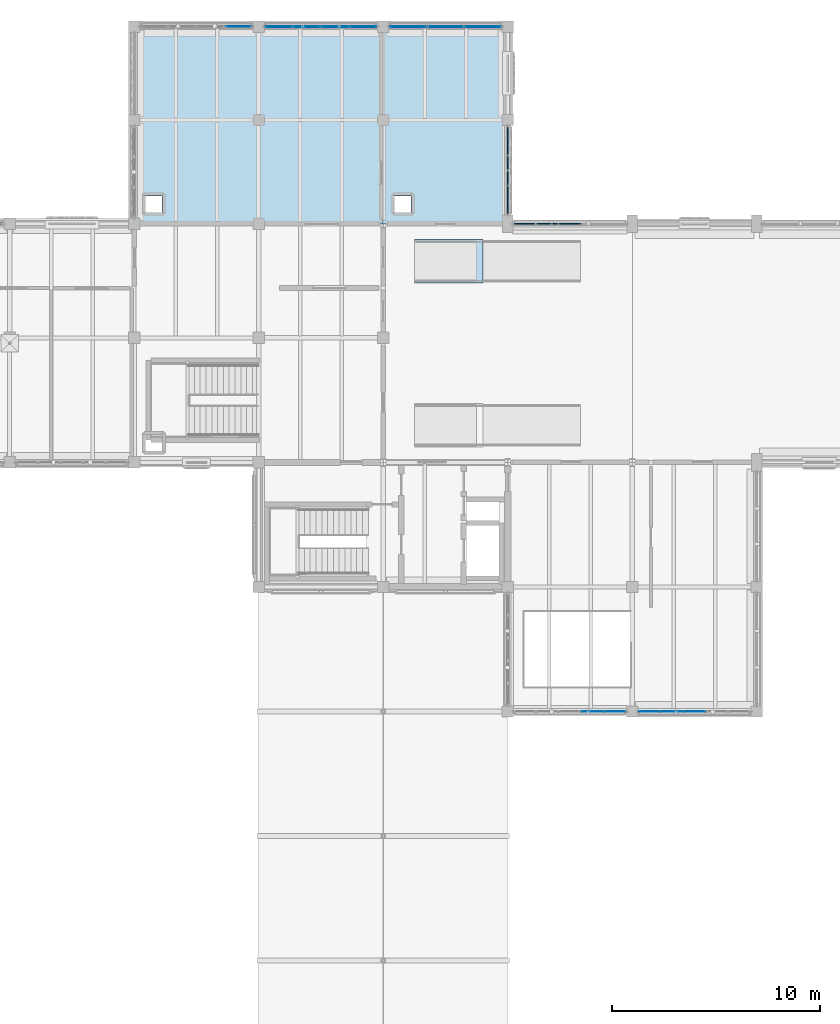
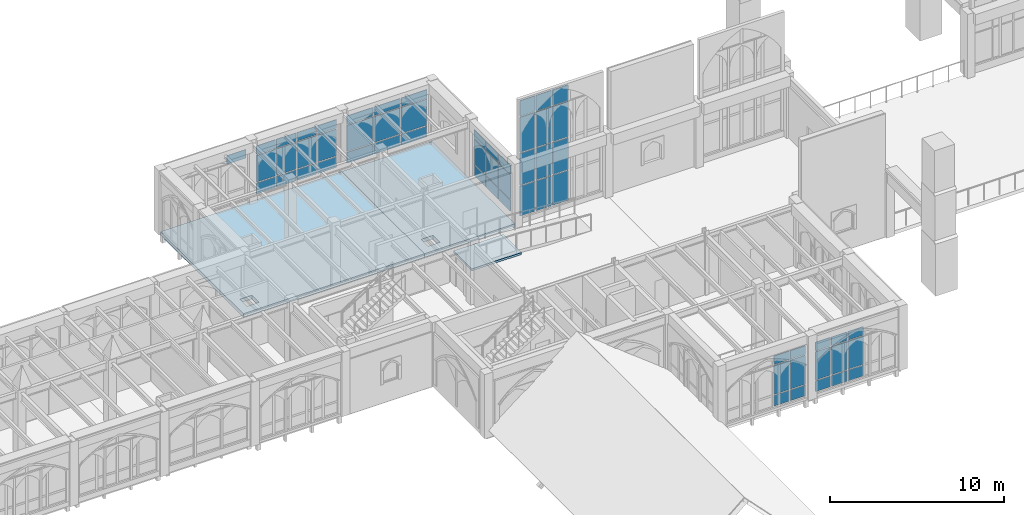
# One storey, part 66 of 108: 58 plates, 3 slabs, 7 elements without a shape of their own.
"""IFC4 building model written with IfcOpenShell, lengths in metres."""

from ifc_helpers import new_model, si_unit, direction, frame, origin, origin_2d, place, context, subcontext, project, spatial, polyline, rectangle, outline, extrude, material, layer, layer_set, type_object, element, aggregate, save


model = new_model("IFC4")

# Units and contexts
model_context = context("Model", 3, precision=1e-05, world=origin(), true_north=direction((0.0, 1.0)))
body_context = subcontext(model_context, "Body", "Model", "MODEL_VIEW")
ifc_project = project(units=[si_unit("LENGTHUNIT", "METRE"), si_unit("AREAUNIT", "SQUARE_METRE"), si_unit("VOLUMEUNIT", "CUBIC_METRE"), si_unit("PLANEANGLEUNIT", "RADIAN"), si_unit("MASSUNIT", "GRAM", prefix="KILO")], contexts=[model_context])

# Site, building, storey
site_placement = place(None, origin())
site = spatial("IfcSite", under=ifc_project, at=site_placement, CompositionType="ELEMENT")
building_placement = place(site_placement, origin())
building = spatial("IfcBuilding", under=site, at=building_placement, Name="Cumevento Cable Car Station", CompositionType="ELEMENT")
storey_placement = place(building_placement, frame((0.0, 0.0, 13.5)))
storey = spatial("IfcBuildingStorey", under=building, at=storey_placement, Name="L04", CompositionType="ELEMENT", Elevation=13.5)

# Slabs
ifc_material_1 = material(Name="Concrete C40/50", Category="concrete")
ifc_layer_1 = layer(ifc_material_1, 0.199951171875)
ifc_layer_set_1 = layer_set([ifc_layer_1], Name="Concrete C40/50")
slab_type_1 = type_object("IfcSlabType", Name="Concrete Deck FS-200 200", PredefinedType="FLOOR", material=ifc_layer_set_1)
slab_1_placement = place(storey_placement, origin())
element("IfcSlab", 1, at=slab_1_placement, inside=storey, type_object=slab_type_1, Name="Boarding Contour Ramp Structural Plinth RP-06", PredefinedType="FLOOR", context=body_context, shape_type="SweptSolid", body=[
    extrude(outline(polyline([(65.5, 53.64990234375), (68.800048828125, 53.64990234375), (68.800048828125, 55.75), (65.5, 55.75), (65.5, 53.64990234375)])), origin(), (0.0, 0.0, 1.0), 0.139892578125),
])
ifc_material_2 = material(Name="Concrete C40/50", Category="concrete")
ifc_layer_2 = layer(ifc_material_2, 0.260009765625)
ifc_layer_set_2 = layer_set([ifc_layer_2], Name="Concrete C40/50")
slab_type_2 = type_object("IfcSlabType", Name="Concrete Deck FS-260 260", PredefinedType="FLOOR", material=ifc_layer_set_2)
slab_2_placement = place(storey_placement, frame((0.0, 0.0, -0.260009765625)))
element("IfcSlab", 2, at=slab_2_placement, inside=storey, type_object=slab_type_2, Name="Floor Slab FS-260 L04 B_V3c.1", PredefinedType="FLOOR", context=body_context, shape_type="SweptSolid", body=[
    extrude(outline(polyline([(52.0, 56.5), (64.0, 56.5), (64.0, 66.0), (52.0, 66.0), (52.0, 56.5)]), holes=[polyline([(52.550048828125, 57.050048828125), (53.35009765625, 57.050048828125), (53.35009765625, 57.85009765625), (52.550048828125, 57.85009765625), (52.550048828125, 57.050048828125)])]), origin(), (0.0, 0.0, 1.0), 0.260009765625),
])
slab_3_placement = place(storey_placement, frame((0.0, 0.0, -0.260009765625)))
element("IfcSlab", 3, at=slab_3_placement, inside=storey, type_object=slab_type_2, Name="Floor Slab FS-260 L04 B_V3c.2", PredefinedType="FLOOR", context=body_context, shape_type="SweptSolid", body=[
    extrude(outline(polyline([(64.0, 56.5), (70.0, 56.5), (70.0, 66.0), (64.0, 66.0), (64.0, 56.5)]), holes=[polyline([(64.550048828125, 57.050048828125), (65.35009765625, 57.050048828125), (65.35009765625, 57.85009765625), (64.550048828125, 57.85009765625), (64.550048828125, 57.050048828125)])]), origin(), (0.0, 0.0, 1.0), 0.260009765625),
])

# Curtain wall, plate
ifc_material_3 = material(Name="Anodised Bronze Aluminium AW-6063-T6", Category="aluminium")
ifc_layer_3 = layer(ifc_material_3, 0.22607421875)
ifc_layer_set_3 = layer_set([ifc_layer_3], Name="Anodised Bronze Aluminium AW-6063-T6")
curtain_wall_type_1 = type_object("IfcCurtainWallType", Name="Lancet Curtain Wall CW-12 1490", PredefinedType="NOTDEFINED", material=ifc_layer_set_3)
curtain_wall_1_placement = place(storey_placement, origin())
curtain_wall_1 = element("IfcCurtainWall", 4, at=curtain_wall_1_placement, inside=storey, type_object=curtain_wall_type_1, Name="Lancet Curtain Wall CW-12 L04 #171", PredefinedType="NOTDEFINED")
ifc_material_4 = material(Name="Solar Control Laminated Double Glazing", Category="glass")
ifc_layer_4 = layer(ifc_material_4, 0.033935546875)
ifc_layer_set_4 = layer_set([ifc_layer_4], Name="Solar Control Laminated Double Glazing")
plate_type_1 = type_object("IfcPlateType", Name="Glazed Panel CWP-04 34", PredefinedType="CURTAIN_PANEL", material=ifc_layer_set_4)
plate_1_placement = place(storey_placement, frame((57.027587890625, 66.0, 3.175537109375), z_axis=(0.0, 0.0, 1.0), x_axis=(1.0, 0.0, 0.0)))
plate_1 = element("IfcPlate", 5, at=plate_1_placement, type_object=plate_type_1, Name="CW-12 panel 4.3", PredefinedType="CURTAIN_PANEL", context=body_context, shape_type="SweptSolid", body=[
    extrude(rectangle(XDim=1.264892578125, YDim=0.033935546875, at=origin_2d()), origin(), (0.0, 0.0, 1.0), 0.6025390625),
])
aggregate(curtain_wall_1, [plate_1])

# Curtain wall, plates
ifc_material_5 = material(Name="Anodised Bronze Aluminium AW-6063-T6", Category="aluminium")
ifc_layer_5 = layer(ifc_material_5, 0.159912109375)
ifc_layer_set_5 = layer_set([ifc_layer_5], Name="Anodised Bronze Aluminium AW-6063-T6")
curtain_wall_type_2 = type_object("IfcCurtainWallType", Name="Lancet Curtain Wall CW-01 1050", PredefinedType="NOTDEFINED", material=ifc_layer_set_5)
curtain_wall_2_placement = place(storey_placement, origin())
curtain_wall_2 = element("IfcCurtainWall", 6, at=curtain_wall_2_placement, inside=storey, type_object=curtain_wall_type_2, Name="Lancet Curtain Wall CW-01 L04 #144", PredefinedType="NOTDEFINED")
ifc_material_6 = material(Name="Solar Control Laminated Double Glazing", Category="glass")
ifc_layer_6 = layer(ifc_material_6, 0.0380859375)
ifc_layer_set_6 = layer_set([ifc_layer_6], Name="Solar Control Laminated Double Glazing")
plate_type_2 = type_object("IfcPlateType", Name="Glazed Panel CWP-05 38", PredefinedType="CURTAIN_PANEL", material=ifc_layer_set_6)
plate_2_placement = place(storey_placement, frame((75.163818359375, 33.0, 0.22509765625), z_axis=(0.0, 0.0, 1.0), x_axis=(-1.0, 0.0, 0.0)))
plate_2 = element("IfcPlate", 7, at=plate_2_placement, type_object=plate_type_2, Name="CW-01 panel 1.1", PredefinedType="CURTAIN_PANEL", context=body_context, shape_type="SweptSolid", body=[
    extrude(rectangle(XDim=0.992431640625, YDim=0.0380859375, at=origin_2d()), origin(), (0.0, 0.0, 1.0), 0.75244140625),
])
plate_3_placement = place(storey_placement, frame((75.163818359375, 33.0, 1.04248046875), z_axis=(0.0, 0.0, 1.0), x_axis=(-1.0, 0.0, 0.0)))
plate_3 = element("IfcPlate", 8, at=plate_3_placement, type_object=plate_type_2, Name="CW-01 panel 1.2", PredefinedType="CURTAIN_PANEL", context=body_context, shape_type="SweptSolid", body=[
    extrude(rectangle(XDim=0.992431640625, YDim=0.0380859375, at=origin_2d()), origin(), (0.0, 0.0, 1.0), 2.02197265625),
])
plate_4_placement = place(storey_placement, frame((75.163818359375, 33.0, 3.12939453125), z_axis=(0.0, 0.0, 1.0), x_axis=(-1.0, 0.0, 0.0)))
plate_4 = element("IfcPlate", 9, at=plate_4_placement, type_object=plate_type_2, Name="CW-01 panel 1.3", PredefinedType="CURTAIN_PANEL", context=body_context, shape_type="SweptSolid", body=[
    extrude(rectangle(XDim=0.992431640625, YDim=0.0380859375, at=origin_2d()), origin(), (0.0, 0.0, 1.0), 0.6025390625),
])
plate_5_placement = place(storey_placement, frame((74.090087890625, 33.0, 0.22509765625), z_axis=(0.0, 0.0, 1.0), x_axis=(-1.0, 0.0, 0.0)))
plate_5 = element("IfcPlate", 10, at=plate_5_placement, type_object=plate_type_2, Name="CW-01 panel 2.1", PredefinedType="CURTAIN_PANEL", context=body_context, shape_type="SweptSolid", body=[
    extrude(rectangle(XDim=1.02490234375, YDim=0.0380859375, at=origin_2d()), origin(), (0.0, 0.0, 1.0), 0.75244140625),
])
plate_6_placement = place(storey_placement, frame((74.090087890625, 33.0, 1.04248046875), z_axis=(0.0, 0.0, 1.0), x_axis=(-1.0, 0.0, 0.0)))
plate_6 = element("IfcPlate", 11, at=plate_6_placement, type_object=plate_type_2, Name="CW-01 panel 2.2", PredefinedType="CURTAIN_PANEL", context=body_context, shape_type="SweptSolid", body=[
    extrude(rectangle(XDim=1.02490234375, YDim=0.0380859375, at=origin_2d()), origin(), (0.0, 0.0, 1.0), 2.02197265625),
])
plate_7_placement = place(storey_placement, frame((74.090087890625, 33.0, 3.12939453125), z_axis=(0.0, 0.0, 1.0), x_axis=(-1.0, 0.0, 0.0)))
plate_7 = element("IfcPlate", 12, at=plate_7_placement, type_object=plate_type_2, Name="CW-01 panel 2.3", PredefinedType="CURTAIN_PANEL", context=body_context, shape_type="SweptSolid", body=[
    extrude(rectangle(XDim=1.02490234375, YDim=0.0380859375, at=origin_2d()), origin(), (0.0, 0.0, 1.0), 0.6025390625),
])
aggregate(curtain_wall_2, [plate_2, plate_3, plate_4, plate_5, plate_6, plate_7])

ifc_material_7 = material(Name="Anodised Bronze Aluminium AW-6063-T6", Category="aluminium")
ifc_layer_7 = layer(ifc_material_7, 0.23193359375)
ifc_layer_set_7 = layer_set([ifc_layer_7], Name="Anodised Bronze Aluminium AW-6063-T6")
curtain_wall_type_3 = type_object("IfcCurtainWallType", Name="Lancet Curtain Wall CW-13 1530", PredefinedType="NOTDEFINED", material=ifc_layer_set_7)
curtain_wall_3_placement = place(storey_placement, origin())
curtain_wall_3 = element("IfcCurtainWall", 13, at=curtain_wall_3_placement, inside=storey, type_object=curtain_wall_type_3, Name="Lancet Curtain Wall CW-13 L04 #172", PredefinedType="NOTDEFINED")
plate_8_placement = place(storey_placement, frame((58.972412109375, 66.0, 0.425048828125), z_axis=(0.0, 0.0, 1.0), x_axis=(1.0, 0.0, 0.0)))
plate_8 = element("IfcPlate", 14, at=plate_8_placement, type_object=plate_type_2, Name="CW-13 panel 1.1", PredefinedType="CURTAIN_PANEL", context=body_context, shape_type="SweptSolid", body=[
    extrude(rectangle(XDim=1.264892578125, YDim=0.0380859375, at=origin_2d()), origin(), (0.0, 0.0, 1.0), 0.75244140625),
])
plate_9_placement = place(storey_placement, frame((58.972412109375, 66.0, 1.24267578125), z_axis=(0.0, 0.0, 1.0), x_axis=(1.0, 0.0, 0.0)))
plate_9 = element("IfcPlate", 15, at=plate_9_placement, type_object=plate_type_2, Name="CW-13 panel 1.2", PredefinedType="CURTAIN_PANEL", context=body_context, shape_type="SweptSolid", body=[
    extrude(rectangle(XDim=1.264892578125, YDim=0.0380859375, at=origin_2d()), origin(), (0.0, 0.0, 1.0), 1.867919921875),
])
plate_10_placement = place(storey_placement, frame((58.972412109375, 66.0, 3.175537109375), z_axis=(0.0, 0.0, 1.0), x_axis=(1.0, 0.0, 0.0)))
plate_10 = element("IfcPlate", 16, at=plate_10_placement, type_object=plate_type_2, Name="CW-13 panel 1.3", PredefinedType="CURTAIN_PANEL", context=body_context, shape_type="SweptSolid", body=[
    extrude(rectangle(XDim=1.264892578125, YDim=0.0380859375, at=origin_2d()), origin(), (0.0, 0.0, 1.0), 0.6025390625),
])
plate_11_placement = place(storey_placement, frame((60.31884765625, 66.0, 0.425048828125), z_axis=(0.0, 0.0, 1.0), x_axis=(1.0, 0.0, 0.0)))
plate_11 = element("IfcPlate", 17, at=plate_11_placement, type_object=plate_type_2, Name="CW-13 panel 2.1", PredefinedType="CURTAIN_PANEL", context=body_context, shape_type="SweptSolid", body=[
    extrude(rectangle(XDim=1.297607421875, YDim=0.0380859375, at=origin_2d()), origin(), (0.0, 0.0, 1.0), 0.75244140625),
])
plate_12_placement = place(storey_placement, frame((60.31884765625, 66.0, 1.24267578125), z_axis=(0.0, 0.0, 1.0), x_axis=(1.0, 0.0, 0.0)))
plate_12 = element("IfcPlate", 18, at=plate_12_placement, type_object=plate_type_2, Name="CW-13 panel 2.2", PredefinedType="CURTAIN_PANEL", context=body_context, shape_type="SweptSolid", body=[
    extrude(rectangle(XDim=1.297607421875, YDim=0.0380859375, at=origin_2d()), origin(), (0.0, 0.0, 1.0), 1.867919921875),
])
plate_13_placement = place(storey_placement, frame((60.31884765625, 66.0, 3.175537109375), z_axis=(0.0, 0.0, 1.0), x_axis=(1.0, 0.0, 0.0)))
plate_13 = element("IfcPlate", 19, at=plate_13_placement, type_object=plate_type_2, Name="CW-13 panel 2.3", PredefinedType="CURTAIN_PANEL", context=body_context, shape_type="SweptSolid", body=[
    extrude(rectangle(XDim=1.297607421875, YDim=0.0380859375, at=origin_2d()), origin(), (0.0, 0.0, 1.0), 0.6025390625),
])
plate_14_placement = place(storey_placement, frame((61.68115234375, 66.0, 0.425048828125), z_axis=(0.0, 0.0, 1.0), x_axis=(1.0, 0.0, 0.0)))
plate_14 = element("IfcPlate", 20, at=plate_14_placement, type_object=plate_type_2, Name="CW-13 panel 3.1", PredefinedType="CURTAIN_PANEL", context=body_context, shape_type="SweptSolid", body=[
    extrude(rectangle(XDim=1.297607421875, YDim=0.0380859375, at=origin_2d()), origin(), (0.0, 0.0, 1.0), 0.75244140625),
])
plate_15_placement = place(storey_placement, frame((61.68115234375, 66.0, 1.24267578125), z_axis=(0.0, 0.0, 1.0), x_axis=(1.0, 0.0, 0.0)))
plate_15 = element("IfcPlate", 21, at=plate_15_placement, type_object=plate_type_2, Name="CW-13 panel 3.2", PredefinedType="CURTAIN_PANEL", context=body_context, shape_type="SweptSolid", body=[
    extrude(rectangle(XDim=1.297607421875, YDim=0.0380859375, at=origin_2d()), origin(), (0.0, 0.0, 1.0), 1.867919921875),
])
plate_16_placement = place(storey_placement, frame((61.68115234375, 66.0, 3.175537109375), z_axis=(0.0, 0.0, 1.0), x_axis=(1.0, 0.0, 0.0)))
plate_16 = element("IfcPlate", 22, at=plate_16_placement, type_object=plate_type_2, Name="CW-13 panel 3.3", PredefinedType="CURTAIN_PANEL", context=body_context, shape_type="SweptSolid", body=[
    extrude(rectangle(XDim=1.297607421875, YDim=0.0380859375, at=origin_2d()), origin(), (0.0, 0.0, 1.0), 0.6025390625),
])
plate_17_placement = place(storey_placement, frame((63.027587890625, 66.0, 0.425048828125), z_axis=(0.0, 0.0, 1.0), x_axis=(1.0, 0.0, 0.0)))
plate_17 = element("IfcPlate", 23, at=plate_17_placement, type_object=plate_type_2, Name="CW-13 panel 4.1", PredefinedType="CURTAIN_PANEL", context=body_context, shape_type="SweptSolid", body=[
    extrude(rectangle(XDim=1.264892578125, YDim=0.0380859375, at=origin_2d()), origin(), (0.0, 0.0, 1.0), 0.75244140625),
])
plate_18_placement = place(storey_placement, frame((63.027587890625, 66.0, 1.24267578125), z_axis=(0.0, 0.0, 1.0), x_axis=(1.0, 0.0, 0.0)))
plate_18 = element("IfcPlate", 24, at=plate_18_placement, type_object=plate_type_2, Name="CW-13 panel 4.2", PredefinedType="CURTAIN_PANEL", context=body_context, shape_type="SweptSolid", body=[
    extrude(rectangle(XDim=1.264892578125, YDim=0.0380859375, at=origin_2d()), origin(), (0.0, 0.0, 1.0), 1.867919921875),
])
plate_19_placement = place(storey_placement, frame((63.027587890625, 66.0, 3.175537109375), z_axis=(0.0, 0.0, 1.0), x_axis=(1.0, 0.0, 0.0)))
plate_19 = element("IfcPlate", 25, at=plate_19_placement, type_object=plate_type_2, Name="CW-13 panel 4.3", PredefinedType="CURTAIN_PANEL", context=body_context, shape_type="SweptSolid", body=[
    extrude(rectangle(XDim=1.264892578125, YDim=0.0380859375, at=origin_2d()), origin(), (0.0, 0.0, 1.0), 0.6025390625),
])
aggregate(curtain_wall_3, [plate_8, plate_9, plate_10, plate_11, plate_12, plate_13, plate_14, plate_15, plate_16, plate_17, plate_18, plate_19])

ifc_material_8 = material(Name="Anodised Bronze Aluminium AW-6063-T6", Category="aluminium")
ifc_layer_8 = layer(ifc_material_8, 0.166015625)
ifc_layer_set_8 = layer_set([ifc_layer_8], Name="Anodised Bronze Aluminium AW-6063-T6")
curtain_wall_type_4 = type_object("IfcCurtainWallType", Name="Lancet Curtain Wall CW-02 1090", PredefinedType="NOTDEFINED", material=ifc_layer_set_8)
curtain_wall_4_placement = place(storey_placement, origin())
curtain_wall_4 = element("IfcCurtainWall", 26, at=curtain_wall_4_placement, inside=storey, type_object=curtain_wall_type_4, Name="Lancet Curtain Wall CW-02 L04 #145", PredefinedType="NOTDEFINED")
ifc_material_9 = material(Name="Solar Control Laminated Double Glazing", Category="glass")
ifc_layer_9 = layer(ifc_material_9, 0.0419921875)
ifc_layer_set_9 = layer_set([ifc_layer_9], Name="Solar Control Laminated Double Glazing")
plate_type_3 = type_object("IfcPlateType", Name="Glazed Panel CWP-06 42", PredefinedType="CURTAIN_PANEL", material=ifc_layer_set_9)
plate_20_placement = place(storey_placement, frame((79.0, 33.0, 0.275146484375), z_axis=(0.0, 0.0, 1.0), x_axis=(-1.0, 0.0, 0.0)))
plate_20 = element("IfcPlate", 27, at=plate_20_placement, type_object=plate_type_3, Name="CW-02 panel 3.1", PredefinedType="CURTAIN_PANEL", context=body_context, shape_type="SweptSolid", body=[
    extrude(rectangle(XDim=1.02490234375, YDim=0.0419921875, at=origin_2d()), origin(), (0.0, 0.0, 1.0), 0.75244140625),
])
plate_21_placement = place(storey_placement, frame((79.0, 33.0, 1.0927734375), z_axis=(0.0, 0.0, 1.0), x_axis=(-1.0, 0.0, 0.0)))
plate_21 = element("IfcPlate", 28, at=plate_21_placement, type_object=plate_type_3, Name="CW-02 panel 3.2", PredefinedType="CURTAIN_PANEL", context=body_context, shape_type="SweptSolid", body=[
    extrude(rectangle(XDim=1.02490234375, YDim=0.0419921875, at=origin_2d()), origin(), (0.0, 0.0, 1.0), 1.971923828125),
])
plate_22_placement = place(storey_placement, frame((79.0, 33.0, 3.12939453125), z_axis=(0.0, 0.0, 1.0), x_axis=(-1.0, 0.0, 0.0)))
plate_22 = element("IfcPlate", 29, at=plate_22_placement, type_object=plate_type_3, Name="CW-02 panel 3.3", PredefinedType="CURTAIN_PANEL", context=body_context, shape_type="SweptSolid", body=[
    extrude(rectangle(XDim=1.02490234375, YDim=0.0419921875, at=origin_2d()), origin(), (0.0, 0.0, 1.0), 0.6025390625),
])
plate_23_placement = place(storey_placement, frame((77.909912109375, 33.0, 0.275146484375), z_axis=(0.0, 0.0, 1.0), x_axis=(-1.0, 0.0, 0.0)))
plate_23 = element("IfcPlate", 30, at=plate_23_placement, type_object=plate_type_3, Name="CW-02 panel 4.1", PredefinedType="CURTAIN_PANEL", context=body_context, shape_type="SweptSolid", body=[
    extrude(rectangle(XDim=1.02490234375, YDim=0.0419921875, at=origin_2d()), origin(), (0.0, 0.0, 1.0), 0.75244140625),
])
plate_24_placement = place(storey_placement, frame((77.909912109375, 33.0, 1.0927734375), z_axis=(0.0, 0.0, 1.0), x_axis=(-1.0, 0.0, 0.0)))
plate_24 = element("IfcPlate", 31, at=plate_24_placement, type_object=plate_type_3, Name="CW-02 panel 4.2", PredefinedType="CURTAIN_PANEL", context=body_context, shape_type="SweptSolid", body=[
    extrude(rectangle(XDim=1.02490234375, YDim=0.0419921875, at=origin_2d()), origin(), (0.0, 0.0, 1.0), 1.971923828125),
])
plate_25_placement = place(storey_placement, frame((77.909912109375, 33.0, 3.12939453125), z_axis=(0.0, 0.0, 1.0), x_axis=(-1.0, 0.0, 0.0)))
plate_25 = element("IfcPlate", 32, at=plate_25_placement, type_object=plate_type_3, Name="CW-02 panel 4.3", PredefinedType="CURTAIN_PANEL", context=body_context, shape_type="SweptSolid", body=[
    extrude(rectangle(XDim=1.02490234375, YDim=0.0419921875, at=origin_2d()), origin(), (0.0, 0.0, 1.0), 0.6025390625),
])
plate_26_placement = place(storey_placement, frame((76.836181640625, 33.0, 0.275146484375), z_axis=(0.0, 0.0, 1.0), x_axis=(-1.0, 0.0, 0.0)))
plate_26 = element("IfcPlate", 33, at=plate_26_placement, type_object=plate_type_3, Name="CW-02 panel 5.1", PredefinedType="CURTAIN_PANEL", context=body_context, shape_type="SweptSolid", body=[
    extrude(rectangle(XDim=0.992431640625, YDim=0.0419921875, at=origin_2d()), origin(), (0.0, 0.0, 1.0), 0.75244140625),
])
plate_27_placement = place(storey_placement, frame((76.836181640625, 33.0, 1.0927734375), z_axis=(0.0, 0.0, 1.0), x_axis=(-1.0, 0.0, 0.0)))
plate_27 = element("IfcPlate", 34, at=plate_27_placement, type_object=plate_type_3, Name="CW-02 panel 5.2", PredefinedType="CURTAIN_PANEL", context=body_context, shape_type="SweptSolid", body=[
    extrude(rectangle(XDim=0.992431640625, YDim=0.0419921875, at=origin_2d()), origin(), (0.0, 0.0, 1.0), 1.971923828125),
])
plate_28_placement = place(storey_placement, frame((76.836181640625, 33.0, 3.12939453125), z_axis=(0.0, 0.0, 1.0), x_axis=(-1.0, 0.0, 0.0)))
plate_28 = element("IfcPlate", 35, at=plate_28_placement, type_object=plate_type_3, Name="CW-02 panel 5.3", PredefinedType="CURTAIN_PANEL", context=body_context, shape_type="SweptSolid", body=[
    extrude(rectangle(XDim=0.992431640625, YDim=0.0419921875, at=origin_2d()), origin(), (0.0, 0.0, 1.0), 0.6025390625),
])
aggregate(curtain_wall_4, [plate_20, plate_21, plate_22, plate_23, plate_24, plate_25, plate_26, plate_27, plate_28])

ifc_material_10 = material(Name="Anodised Bronze Aluminium AW-6063-T6", Category="aluminium")
ifc_layer_10 = layer(ifc_material_10, 0.238037109375)
ifc_layer_set_10 = layer_set([ifc_layer_10], Name="Anodised Bronze Aluminium AW-6063-T6")
curtain_wall_type_5 = type_object("IfcCurtainWallType", Name="Lancet Curtain Wall CW-14 1570", PredefinedType="NOTDEFINED", material=ifc_layer_set_10)
curtain_wall_5_placement = place(storey_placement, origin())
curtain_wall_5 = element("IfcCurtainWall", 36, at=curtain_wall_5_placement, inside=storey, type_object=curtain_wall_type_5, Name="Lancet Curtain Wall CW-14 L04 #173", PredefinedType="NOTDEFINED")
plate_29_placement = place(storey_placement, frame((65.199462890625, 66.0, 0.47509765625), z_axis=(0.0, 0.0, 1.0), x_axis=(1.0, 0.0, 0.0)))
plate_29 = element("IfcPlate", 37, at=plate_29_placement, type_object=plate_type_3, Name="CW-14 panel 1.1", PredefinedType="CURTAIN_PANEL", context=body_context, shape_type="SweptSolid", body=[
    extrude(rectangle(XDim=1.71923828125, YDim=0.0419921875, at=origin_2d()), origin(), (0.0, 0.0, 1.0), 0.75244140625),
])
plate_30_placement = place(storey_placement, frame((65.199462890625, 66.0, 1.29248046875), z_axis=(0.0, 0.0, 1.0), x_axis=(1.0, 0.0, 0.0)))
plate_30 = element("IfcPlate", 38, at=plate_30_placement, type_object=plate_type_3, Name="CW-14 panel 1.2", PredefinedType="CURTAIN_PANEL", context=body_context, shape_type="SweptSolid", body=[
    extrude(rectangle(XDim=1.71923828125, YDim=0.0419921875, at=origin_2d()), origin(), (0.0, 0.0, 1.0), 1.818115234375),
])
plate_31_placement = place(storey_placement, frame((65.199462890625, 66.0, 3.175537109375), z_axis=(0.0, 0.0, 1.0), x_axis=(1.0, 0.0, 0.0)))
plate_31 = element("IfcPlate", 39, at=plate_31_placement, type_object=plate_type_3, Name="CW-14 panel 1.3", PredefinedType="CURTAIN_PANEL", context=body_context, shape_type="SweptSolid", body=[
    extrude(rectangle(XDim=1.71923828125, YDim=0.0419921875, at=origin_2d()), origin(), (0.0, 0.0, 1.0), 0.6025390625),
])
plate_32_placement = place(storey_placement, frame((67.0, 66.0, 0.47509765625), z_axis=(0.0, 0.0, 1.0), x_axis=(1.0, 0.0, 0.0)))
plate_32 = element("IfcPlate", 40, at=plate_32_placement, type_object=plate_type_3, Name="CW-14 panel 2.1", PredefinedType="CURTAIN_PANEL", context=body_context, shape_type="SweptSolid", body=[
    extrude(rectangle(XDim=1.751708984375, YDim=0.0419921875, at=origin_2d()), origin(), (0.0, 0.0, 1.0), 0.75244140625),
])
plate_33_placement = place(storey_placement, frame((67.0, 66.0, 1.29248046875), z_axis=(0.0, 0.0, 1.0), x_axis=(1.0, 0.0, 0.0)))
plate_33 = element("IfcPlate", 41, at=plate_33_placement, type_object=plate_type_3, Name="CW-14 panel 2.2", PredefinedType="CURTAIN_PANEL", context=body_context, shape_type="SweptSolid", body=[
    extrude(rectangle(XDim=1.751708984375, YDim=0.0419921875, at=origin_2d()), origin(), (0.0, 0.0, 1.0), 1.818115234375),
])
plate_34_placement = place(storey_placement, frame((67.0, 66.0, 3.175537109375), z_axis=(0.0, 0.0, 1.0), x_axis=(1.0, 0.0, 0.0)))
plate_34 = element("IfcPlate", 42, at=plate_34_placement, type_object=plate_type_3, Name="CW-14 panel 2.3", PredefinedType="CURTAIN_PANEL", context=body_context, shape_type="SweptSolid", body=[
    extrude(rectangle(XDim=1.751708984375, YDim=0.0419921875, at=origin_2d()), origin(), (0.0, 0.0, 1.0), 0.6025390625),
])
plate_35_placement = place(storey_placement, frame((68.800537109375, 66.0, 0.47509765625), z_axis=(0.0, 0.0, 1.0), x_axis=(1.0, 0.0, 0.0)))
plate_35 = element("IfcPlate", 43, at=plate_35_placement, type_object=plate_type_3, Name="CW-14 panel 3.1", PredefinedType="CURTAIN_PANEL", context=body_context, shape_type="SweptSolid", body=[
    extrude(rectangle(XDim=1.71923828125, YDim=0.0419921875, at=origin_2d()), origin(), (0.0, 0.0, 1.0), 0.75244140625),
])
plate_36_placement = place(storey_placement, frame((68.800537109375, 66.0, 1.29248046875), z_axis=(0.0, 0.0, 1.0), x_axis=(1.0, 0.0, 0.0)))
plate_36 = element("IfcPlate", 44, at=plate_36_placement, type_object=plate_type_3, Name="CW-14 panel 3.2", PredefinedType="CURTAIN_PANEL", context=body_context, shape_type="SweptSolid", body=[
    extrude(rectangle(XDim=1.71923828125, YDim=0.0419921875, at=origin_2d()), origin(), (0.0, 0.0, 1.0), 1.818115234375),
])
plate_37_placement = place(storey_placement, frame((68.800537109375, 66.0, 3.175537109375), z_axis=(0.0, 0.0, 1.0), x_axis=(1.0, 0.0, 0.0)))
plate_37 = element("IfcPlate", 45, at=plate_37_placement, type_object=plate_type_3, Name="CW-14 panel 3.3", PredefinedType="CURTAIN_PANEL", context=body_context, shape_type="SweptSolid", body=[
    extrude(rectangle(XDim=1.71923828125, YDim=0.0419921875, at=origin_2d()), origin(), (0.0, 0.0, 1.0), 0.6025390625),
])
aggregate(curtain_wall_5, [plate_29, plate_30, plate_31, plate_32, plate_33, plate_34, plate_35, plate_36, plate_37])

ifc_material_11 = material(Name="Anodised Bronze Aluminium AW-6063-T6", Category="aluminium")
ifc_layer_11 = layer(ifc_material_11, 0.25)
ifc_layer_set_11 = layer_set([ifc_layer_11], Name="Anodised Bronze Aluminium AW-6063-T6")
curtain_wall_type_6 = type_object("IfcCurtainWallType", Name="Lancet Curtain Wall CW-16 1650", PredefinedType="NOTDEFINED", material=ifc_layer_set_11)
curtain_wall_6_placement = place(storey_placement, origin())
curtain_wall_6 = element("IfcCurtainWall", 46, at=curtain_wall_6_placement, inside=storey, type_object=curtain_wall_type_6, Name="Lancet Curtain Wall CW-16 L04 #175", PredefinedType="NOTDEFINED")
ifc_material_12 = material(Name="Solar Control Laminated Double Glazing", Category="glass")
ifc_layer_12 = layer(ifc_material_12, 0.050048828125)
ifc_layer_set_12 = layer_set([ifc_layer_12], Name="Solar Control Laminated Double Glazing")
plate_type_4 = type_object("IfcPlateType", Name="Glazed Panel CWP-08 50", PredefinedType="CURTAIN_PANEL", material=ifc_layer_set_12)
plate_38_placement = place(storey_placement, frame((70.0, 60.4921875, 0.5849609375), z_axis=(0.0, 0.0, 1.0), x_axis=(0.0, -1.0, 0.0)))
plate_38 = element("IfcPlate", 47, at=plate_38_placement, type_object=plate_type_4, Name="CW-16 panel 1.1", PredefinedType="CURTAIN_PANEL", context=body_context, shape_type="SweptSolid", body=[
    extrude(rectangle(XDim=1.3359375, YDim=0.050048828125, at=origin_2d()), origin(), (0.0, 0.0, 1.0), 0.75244140625),
])
plate_39_placement = place(storey_placement, frame((70.0, 60.4921875, 1.402587890625), z_axis=(0.0, 0.0, 1.0), x_axis=(0.0, -1.0, 0.0)))
plate_39 = element("IfcPlate", 48, at=plate_39_placement, type_object=plate_type_4, Name="CW-16 panel 1.2", PredefinedType="CURTAIN_PANEL", context=body_context, shape_type="SweptSolid", body=[
    extrude(rectangle(XDim=1.3359375, YDim=0.050048828125, at=origin_2d()), origin(), (0.0, 0.0, 1.0), 1.7080078125),
])
plate_40_placement = place(storey_placement, frame((70.0, 60.4921875, 3.175537109375), z_axis=(0.0, 0.0, 1.0), x_axis=(0.0, -1.0, 0.0)))
plate_40 = element("IfcPlate", 49, at=plate_40_placement, type_object=plate_type_4, Name="CW-16 panel 1.3", PredefinedType="CURTAIN_PANEL", context=body_context, shape_type="SweptSolid", body=[
    extrude(rectangle(XDim=1.3359375, YDim=0.050048828125, at=origin_2d()), origin(), (0.0, 0.0, 1.0), 0.6025390625),
])
plate_41_placement = place(storey_placement, frame((70.0, 59.074951171875, 0.5849609375), z_axis=(0.0, 0.0, 1.0), x_axis=(0.0, -1.0, 0.0)))
plate_41 = element("IfcPlate", 50, at=plate_41_placement, type_object=plate_type_4, Name="CW-16 panel 2.1", PredefinedType="CURTAIN_PANEL", context=body_context, shape_type="SweptSolid", body=[
    extrude(rectangle(XDim=1.368408203125, YDim=0.050048828125, at=origin_2d()), origin(), (0.0, 0.0, 1.0), 0.75244140625),
])
plate_42_placement = place(storey_placement, frame((70.0, 59.074951171875, 1.402587890625), z_axis=(0.0, 0.0, 1.0), x_axis=(0.0, -1.0, 0.0)))
plate_42 = element("IfcPlate", 51, at=plate_42_placement, type_object=plate_type_4, Name="CW-16 panel 2.2", PredefinedType="CURTAIN_PANEL", context=body_context, shape_type="SweptSolid", body=[
    extrude(rectangle(XDim=1.368408203125, YDim=0.050048828125, at=origin_2d()), origin(), (0.0, 0.0, 1.0), 1.7080078125),
])
plate_43_placement = place(storey_placement, frame((70.0, 59.074951171875, 3.175537109375), z_axis=(0.0, 0.0, 1.0), x_axis=(0.0, -1.0, 0.0)))
plate_43 = element("IfcPlate", 52, at=plate_43_placement, type_object=plate_type_4, Name="CW-16 panel 2.3", PredefinedType="CURTAIN_PANEL", context=body_context, shape_type="SweptSolid", body=[
    extrude(rectangle(XDim=1.368408203125, YDim=0.050048828125, at=origin_2d()), origin(), (0.0, 0.0, 1.0), 0.6025390625),
])
plate_44_placement = place(storey_placement, frame((70.0, 57.657958984375, 0.5849609375), z_axis=(0.0, 0.0, 1.0), x_axis=(0.0, -1.0, 0.0)))
plate_44 = element("IfcPlate", 53, at=plate_44_placement, type_object=plate_type_4, Name="CW-16 panel 3.1", PredefinedType="CURTAIN_PANEL", context=body_context, shape_type="SweptSolid", body=[
    extrude(rectangle(XDim=1.3359375, YDim=0.050048828125, at=origin_2d()), origin(), (0.0, 0.0, 1.0), 0.75244140625),
])
plate_45_placement = place(storey_placement, frame((70.0, 57.657958984375, 1.402587890625), z_axis=(0.0, 0.0, 1.0), x_axis=(0.0, -1.0, 0.0)))
plate_45 = element("IfcPlate", 54, at=plate_45_placement, type_object=plate_type_4, Name="CW-16 panel 3.2", PredefinedType="CURTAIN_PANEL", context=body_context, shape_type="SweptSolid", body=[
    extrude(rectangle(XDim=1.3359375, YDim=0.050048828125, at=origin_2d()), origin(), (0.0, 0.0, 1.0), 1.7080078125),
])
plate_46_placement = place(storey_placement, frame((70.0, 57.657958984375, 3.175537109375), z_axis=(0.0, 0.0, 1.0), x_axis=(0.0, -1.0, 0.0)))
plate_46 = element("IfcPlate", 55, at=plate_46_placement, type_object=plate_type_4, Name="CW-16 panel 3.3", PredefinedType="CURTAIN_PANEL", context=body_context, shape_type="SweptSolid", body=[
    extrude(rectangle(XDim=1.3359375, YDim=0.050048828125, at=origin_2d()), origin(), (0.0, 0.0, 1.0), 0.6025390625),
])
aggregate(curtain_wall_6, [plate_38, plate_39, plate_40, plate_41, plate_42, plate_43, plate_44, plate_45, plate_46])

ifc_material_13 = material(Name="Anodised Bronze Aluminium AW-6063-T6", Category="aluminium")
ifc_layer_13 = layer(ifc_material_13, 0.18408203125)
ifc_layer_set_13 = layer_set([ifc_layer_13], Name="Anodised Bronze Aluminium AW-6063-T6")
curtain_wall_type_7 = type_object("IfcCurtainWallType", Name="Lancet Curtain Wall CW-05 1210", PredefinedType="NOTDEFINED", material=ifc_layer_set_13)
curtain_wall_7_placement = place(storey_placement, origin())
curtain_wall_7 = element("IfcCurtainWall", 56, at=curtain_wall_7_placement, inside=storey, type_object=curtain_wall_type_7, Name="Lancet Curtain Wall CW-05 L04 #164", PredefinedType="NOTDEFINED")
ifc_material_14 = material(Name="Insulated Bronze Aluminium Spandrel Panel", Category="aluminium")
ifc_layer_14 = layer(ifc_material_14, 0.06591796875)
ifc_layer_set_14 = layer_set([ifc_layer_14], Name="Insulated Bronze Aluminium Spandrel Panel")
plate_type_5 = type_object("IfcPlateType", Name="Spandrel Panel CWP-11 66", PredefinedType="CURTAIN_PANEL", material=ifc_layer_set_14)
plate_47_placement = place(storey_placement, frame((70.81884765625, 56.5, 0.43505859375), z_axis=(0.0, 0.0, 1.0), x_axis=(1.0, 0.0, 0.0)))
plate_47 = element("IfcPlate", 57, at=plate_47_placement, type_object=plate_type_5, Name="CW-05 panel 1.1", PredefinedType="CURTAIN_PANEL", context=body_context, shape_type="SweptSolid", body=[
    extrude(rectangle(XDim=0.987548828125, YDim=0.06591796875, at=origin_2d()), origin(), (0.0, 0.0, 1.0), 2.08740234375),
])
plate_48_placement = place(storey_placement, frame((70.81884765625, 56.5, 2.597412109375), z_axis=(0.0, 0.0, 1.0), x_axis=(1.0, 0.0, 0.0)))
plate_48 = element("IfcPlate", 58, at=plate_48_placement, type_object=plate_type_5, Name="CW-05 panel 1.2", PredefinedType="CURTAIN_PANEL", context=body_context, shape_type="SweptSolid", body=[
    extrude(rectangle(XDim=0.987548828125, YDim=0.06591796875, at=origin_2d()), origin(), (0.0, 0.0, 1.0), 2.22509765625),
])
plate_49_placement = place(storey_placement, frame((70.81884765625, 56.5, 4.8974609375), z_axis=(0.0, 0.0, 1.0), x_axis=(1.0, 0.0, 0.0)))
plate_49 = element("IfcPlate", 59, at=plate_49_placement, type_object=plate_type_5, Name="CW-05 panel 1.3", PredefinedType="CURTAIN_PANEL", context=body_context, shape_type="SweptSolid", body=[
    extrude(rectangle(XDim=0.987548828125, YDim=0.06591796875, at=origin_2d()), origin(), (0.0, 0.0, 1.0), 2.4580078125),
])
plate_50_placement = place(storey_placement, frame((70.81884765625, 56.5, 7.4306640625), z_axis=(0.0, 0.0, 1.0), x_axis=(1.0, 0.0, 0.0)))
plate_50 = element("IfcPlate", 60, at=plate_50_placement, type_object=plate_type_5, Name="CW-05 panel 1.4", PredefinedType="CURTAIN_PANEL", context=body_context, shape_type="SweptSolid", body=[
    extrude(rectangle(XDim=0.987548828125, YDim=0.06591796875, at=origin_2d()), origin(), (0.0, 0.0, 1.0), 1.08740234375),
])
plate_51_placement = place(storey_placement, frame((71.89990234375, 56.5, 0.43505859375), z_axis=(0.0, 0.0, 1.0), x_axis=(1.0, 0.0, 0.0)))
plate_51 = element("IfcPlate", 61, at=plate_51_placement, type_object=plate_type_5, Name="CW-05 panel 2.1", PredefinedType="CURTAIN_PANEL", context=body_context, shape_type="SweptSolid", body=[
    extrude(rectangle(XDim=1.02490234375, YDim=0.06591796875, at=origin_2d()), origin(), (0.0, 0.0, 1.0), 2.08740234375),
])
plate_52_placement = place(storey_placement, frame((71.89990234375, 56.5, 2.597412109375), z_axis=(0.0, 0.0, 1.0), x_axis=(1.0, 0.0, 0.0)))
plate_52 = element("IfcPlate", 62, at=plate_52_placement, type_object=plate_type_5, Name="CW-05 panel 2.2", PredefinedType="CURTAIN_PANEL", context=body_context, shape_type="SweptSolid", body=[
    extrude(rectangle(XDim=1.02490234375, YDim=0.06591796875, at=origin_2d()), origin(), (0.0, 0.0, 1.0), 2.22509765625),
])
plate_53_placement = place(storey_placement, frame((71.89990234375, 56.5, 4.8974609375), z_axis=(0.0, 0.0, 1.0), x_axis=(1.0, 0.0, 0.0)))
plate_53 = element("IfcPlate", 63, at=plate_53_placement, type_object=plate_type_5, Name="CW-05 panel 2.3", PredefinedType="CURTAIN_PANEL", context=body_context, shape_type="SweptSolid", body=[
    extrude(rectangle(XDim=1.02490234375, YDim=0.06591796875, at=origin_2d()), origin(), (0.0, 0.0, 1.0), 2.4580078125),
])
plate_54_placement = place(storey_placement, frame((71.89990234375, 56.5, 7.4306640625), z_axis=(0.0, 0.0, 1.0), x_axis=(1.0, 0.0, 0.0)))
plate_54 = element("IfcPlate", 64, at=plate_54_placement, type_object=plate_type_5, Name="CW-05 panel 2.4", PredefinedType="CURTAIN_PANEL", context=body_context, shape_type="SweptSolid", body=[
    extrude(rectangle(XDim=1.02490234375, YDim=0.06591796875, at=origin_2d()), origin(), (0.0, 0.0, 1.0), 1.08740234375),
])
plate_55_placement = place(storey_placement, frame((73.0, 56.5, 0.43505859375), z_axis=(0.0, 0.0, 1.0), x_axis=(1.0, 0.0, 0.0)))
plate_55 = element("IfcPlate", 65, at=plate_55_placement, type_object=plate_type_5, Name="CW-05 panel 3.1", PredefinedType="CURTAIN_PANEL", context=body_context, shape_type="SweptSolid", body=[
    extrude(rectangle(XDim=1.02490234375, YDim=0.06591796875, at=origin_2d()), origin(), (0.0, 0.0, 1.0), 2.08740234375),
])
plate_56_placement = place(storey_placement, frame((73.0, 56.5, 2.597412109375), z_axis=(0.0, 0.0, 1.0), x_axis=(1.0, 0.0, 0.0)))
plate_56 = element("IfcPlate", 66, at=plate_56_placement, type_object=plate_type_5, Name="CW-05 panel 3.2", PredefinedType="CURTAIN_PANEL", context=body_context, shape_type="SweptSolid", body=[
    extrude(rectangle(XDim=1.02490234375, YDim=0.06591796875, at=origin_2d()), origin(), (0.0, 0.0, 1.0), 2.22509765625),
])
plate_57_placement = place(storey_placement, frame((73.0, 56.5, 4.8974609375), z_axis=(0.0, 0.0, 1.0), x_axis=(1.0, 0.0, 0.0)))
plate_57 = element("IfcPlate", 67, at=plate_57_placement, type_object=plate_type_5, Name="CW-05 panel 3.3", PredefinedType="CURTAIN_PANEL", context=body_context, shape_type="SweptSolid", body=[
    extrude(rectangle(XDim=1.02490234375, YDim=0.06591796875, at=origin_2d()), origin(), (0.0, 0.0, 1.0), 2.4580078125),
])
plate_58_placement = place(storey_placement, frame((73.0, 56.5, 7.4306640625), z_axis=(0.0, 0.0, 1.0), x_axis=(1.0, 0.0, 0.0)))
plate_58 = element("IfcPlate", 68, at=plate_58_placement, type_object=plate_type_5, Name="CW-05 panel 3.4", PredefinedType="CURTAIN_PANEL", context=body_context, shape_type="SweptSolid", body=[
    extrude(rectangle(XDim=1.02490234375, YDim=0.06591796875, at=origin_2d()), origin(), (0.0, 0.0, 1.0), 1.08740234375),
])
aggregate(curtain_wall_7, [plate_47, plate_48, plate_49, plate_50, plate_51, plate_52, plate_53, plate_54, plate_55, plate_56, plate_57, plate_58])

save(model, "model.ifc")
